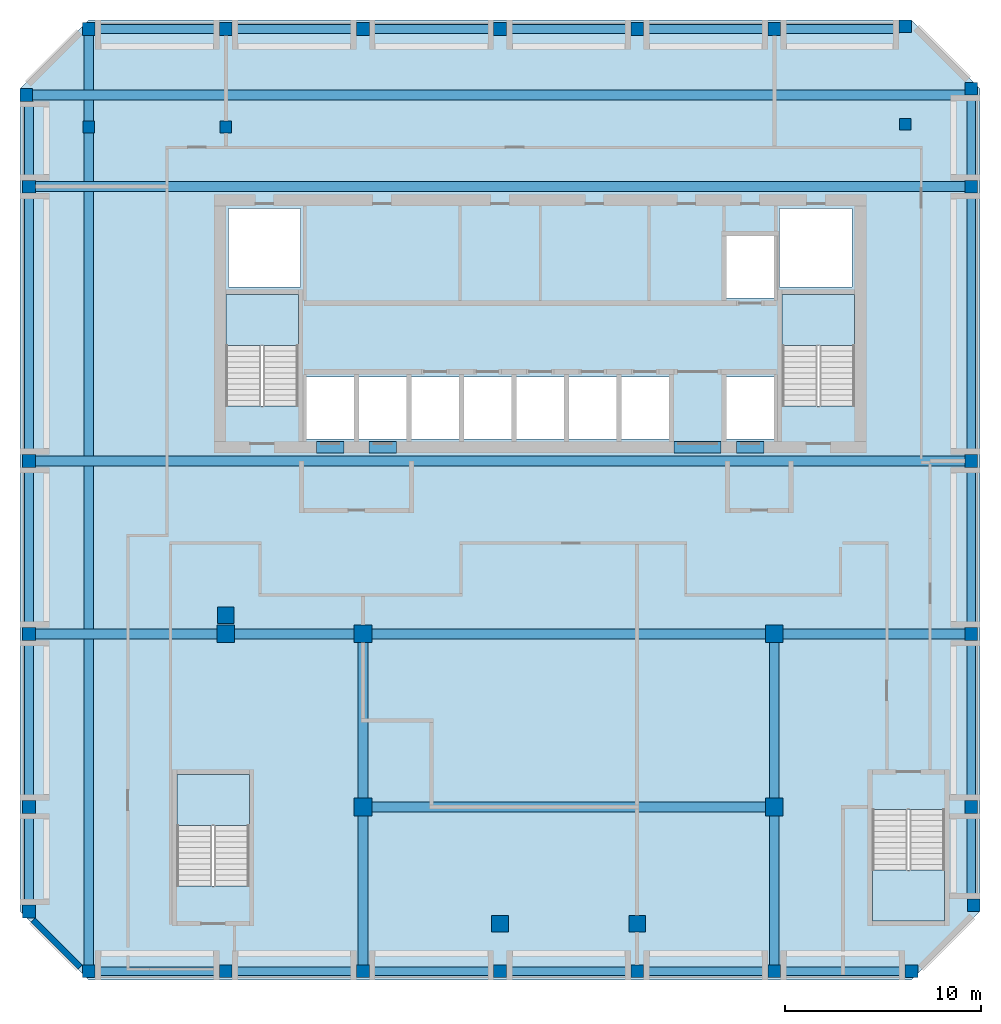
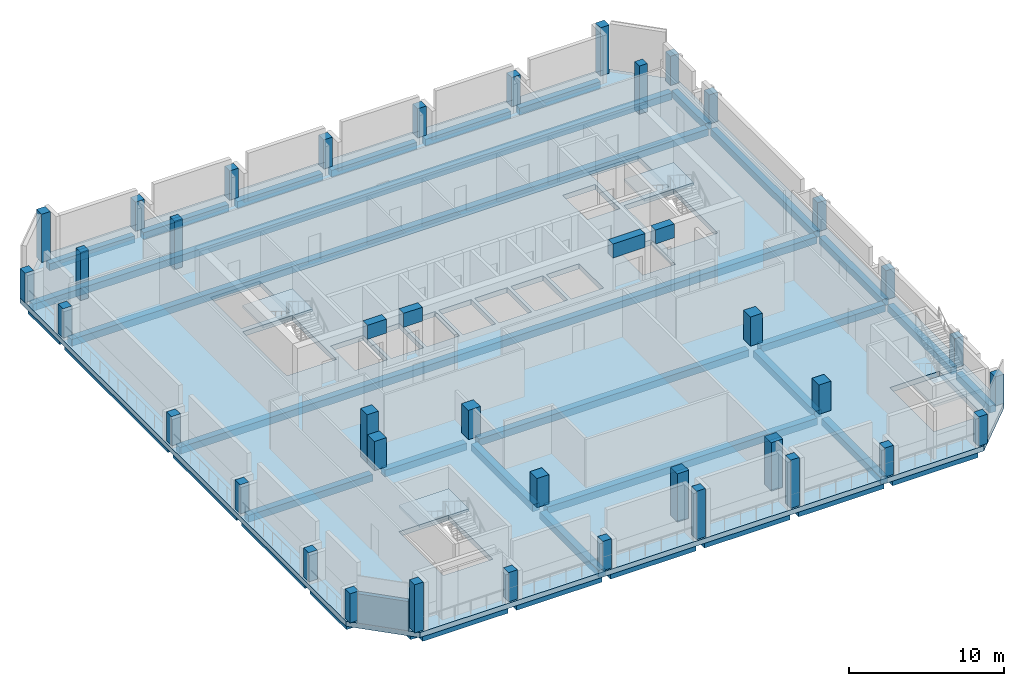
# One storey, part 1 of 7: 39 beams, 37 columns, 5 slabs, 1 wall, 4 elements without a shape of their own.
"""IFC4 building model written with IfcOpenShell, lengths in metres."""

from ifc_helpers import new_model, si_unit, direction, frame, frame_2d, origin, origin_2d, place, context, subcontext, project, spatial, polyline, rectangle, outline, extrude, source, transform, mapped, material, layer, layer_set, material_profile, profile_set, type_object, element, aggregate, save


model = new_model("IFC4")

# Units and contexts
model_context = context("Model", 3, precision=1e-05, world=origin(), true_north=direction((0.0, 1.0)))
body_context = subcontext(model_context, "Body", "Model", "MODEL_VIEW")
ifc_project = project(units=[si_unit("LENGTHUNIT", "METRE"), si_unit("AREAUNIT", "SQUARE_METRE"), si_unit("VOLUMEUNIT", "CUBIC_METRE"), si_unit("PLANEANGLEUNIT", "RADIAN"), si_unit("MASSUNIT", "GRAM", prefix="KILO")], contexts=[model_context])

# Site, building, storey
site_placement = place(None, origin())
site = spatial("IfcSite", under=ifc_project, at=site_placement, CompositionType="ELEMENT")
building_placement = place(site_placement, origin())
building = spatial("IfcBuilding", under=site, at=building_placement, Name="Kilnfold Tower and Market Hall", CompositionType="ELEMENT")
storey_placement = place(building_placement, frame((0.0, 0.0, 290.800048828125)))
storey = spatial("IfcBuildingStorey", under=building, at=storey_placement, Name="L72 Plant Transfer Level", CompositionType="ELEMENT", Elevation=290.800048828125)

# Columns
ifc_material_1 = material(Name="Concrete C60", Category="concrete")
ifc_material_profile_1 = material_profile(ifc_material_1, rectangle(XDim=0.64990234375, YDim=0.64990234375, at=origin_2d()), Name="RC 650x650")
ifc_profile_set_1 = profile_set([ifc_material_profile_1], Name="Concrete C60")
column_type_1 = type_object("IfcColumnType", Name="COLUMN 650X650 C60", PredefinedType="COLUMN", material=ifc_profile_set_1)
shared_shape_1 = source(origin(), body_context, "Body", "SweptSolid", [
    extrude(rectangle(XDim=0.64990234375, YDim=0.64990234375, at=origin_2d()), origin(), (0.0, 0.0, 1.0), 3.800048828125),
])
for number, where, z_axis, x_axis, name in (
    (1, (-22.0, -18.050048828125, 0.0), (0.0, 0.0, 1.0), (1.0, 0.0, 0.0), "Column C-B8-2A"),
    (2, (-22.0, 30.050048828125, 0.0), (0.0, 0.0, 1.0), (1.0, 0.0, 0.0), "Column C-B8-2H"),
    (3, (-1.0, -18.050048828125, 0.0), (0.0, 0.0, 1.0), (1.0, 0.0, 0.0), "Column C-B8-5A"),
    (4, (6.0, -18.050048828125, 0.0), (0.0, 0.0, 1.0), (1.0, 0.0, 0.0), "Column C-B8-6A"),
    (5, (19.681884765625, 30.181884765625, 0.0), (0.0, 0.0, 1.0), (1.0, 0.0, 0.0), "Column C-B8-8H"),
):
    element("IfcColumn", number, at=place(storey_placement, frame(where, z_axis=z_axis, x_axis=x_axis)), inside=storey, type_object=column_type_1, Name=name, PredefinedType="COLUMN", context=body_context, shape_type="MappedRepresentation", body=[
        mapped(shared_shape_1, transform((0.0, 0.0, 0.0))),
    ])
shared_shape_2 = source(origin(), body_context, "Body", "SweptSolid", [
    extrude(rectangle(XDim=0.64990234375, YDim=0.64990234375, at=origin_2d()), origin(), (0.0, 0.0, 1.0), 2.300048828125),
])
for number, where, z_axis, x_axis, name in (
    (6, (-25.181884765625, 26.681884765625, 0.0), (0.0, 0.0, 1.0), (1.0, 0.0, 0.0), "Column C-B8-1G"),
    (7, (-25.050048828125, -15.0, 0.0), (0.0, 0.0, 1.0), (1.0, 0.0, 0.0), "Column C-B8-1B"),
    (8, (-25.050048828125, -9.666748046875, 0.0), (0.0, 0.0, 1.0), (1.0, 0.0, 0.0), "Column C-B8-1C"),
    (9, (-25.050048828125, -0.833251953125, 0.0), (0.0, 0.0, 1.0), (1.0, 0.0, 0.0), "Column C-B8-1D"),
    (10, (-25.050048828125, 8.0, 0.0), (0.0, 0.0, 1.0), (1.0, 0.0, 0.0), "Column C-B8-1E"),
    (11, (-25.050048828125, 22.0, 0.0), (0.0, 0.0, 1.0), (1.0, 0.0, 0.0), "Column C-B8-1F"),
    (12, (-15.0, -18.050048828125, 0.0), (0.0, 0.0, 1.0), (1.0, 0.0, 0.0), "Column C-B8-3A"),
    (13, (-15.0, 30.050048828125, 0.0), (0.0, 0.0, 1.0), (1.0, 0.0, 0.0), "Column C-B8-3H"),
    (14, (-8.0, -18.050048828125, 0.0), (0.0, 0.0, 1.0), (1.0, 0.0, 0.0), "Column C-B8-4A"),
    (15, (-8.0, 30.050048828125, 0.0), (0.0, 0.0, 1.0), (1.0, 0.0, 0.0), "Column C-B8-4H"),
    (16, (-1.0, 30.050048828125, 0.0), (0.0, 0.0, 1.0), (1.0, 0.0, 0.0), "Column C-B8-5H"),
    (17, (6.0, 30.050048828125, 0.0), (0.0, 0.0, 1.0), (1.0, 0.0, 0.0), "Column C-B8-6H"),
    (18, (13.0, -18.050048828125, 0.0), (0.0, 0.0, 1.0), (1.0, 0.0, 0.0), "Column C-B8-7A"),
    (19, (13.0, 30.050048828125, 0.0), (0.0, 0.0, 1.0), (1.0, 0.0, 0.0), "Column C-B8-7H"),
    (20, (20.0, -18.050048828125, 0.0), (0.0, 0.0, 1.0), (1.0, 0.0, 0.0), "Column C-B8-8A"),
    (21, (23.050048828125, -9.666748046875, 0.0), (0.0, 0.0, 1.0), (1.0, 0.0, 0.0), "Column C-B8-9C"),
    (22, (23.050048828125, -0.833251953125, 0.0), (0.0, 0.0, 1.0), (1.0, 0.0, 0.0), "Column C-B8-9D"),
    (23, (23.050048828125, 8.0, 0.0), (0.0, 0.0, 1.0), (1.0, 0.0, 0.0), "Column C-B8-9E"),
    (24, (23.050048828125, 22.0, 0.0), (0.0, 0.0, 1.0), (1.0, 0.0, 0.0), "Column C-B8-9F"),
    (25, (23.050048828125, 27.0, 0.0), (0.0, 0.0, 1.0), (1.0, 0.0, 0.0), "Column C-B8-9G"),
    (26, (23.181884765625, -14.681884765625, 0.0), (0.0, 0.0, 1.0), (1.0, 0.0, 0.0), "Column C-B8-9B"),
):
    element("IfcColumn", number, at=place(storey_placement, frame(where, z_axis=z_axis, x_axis=x_axis)), inside=storey, type_object=column_type_1, Name=name, PredefinedType="COLUMN", context=body_context, shape_type="MappedRepresentation", body=[
        mapped(shared_shape_2, transform((0.0, 0.0, 0.0))),
    ])
ifc_material_2 = material(Name="Concrete C60", Category="concrete")
ifc_material_profile_2 = material_profile(ifc_material_2, rectangle(XDim=0.89990234375, YDim=0.89990234375, at=origin_2d()), Name="RC 900x900")
ifc_profile_set_2 = profile_set([ifc_material_profile_2], Name="Concrete C60")
column_type_2 = type_object("IfcColumnType", Name="COLUMN 900X900 C60", PredefinedType="COLUMN", material=ifc_profile_set_2)
shared_shape_3 = source(origin(), body_context, "Body", "SweptSolid", [
    extrude(rectangle(XDim=0.89990234375, YDim=0.89990234375, at=origin_2d()), origin(), (0.0, 0.0, 1.0), 2.300048828125),
])
for number, where, z_axis, x_axis, name in (
    (27, (-15.0, -0.833251953125, 0.0), (0.0, 0.0, 1.0), (1.0, 0.0, 0.0), "Column C-B8-3D"),
    (28, (-8.0, -9.666748046875, 0.0), (0.0, 0.0, 1.0), (1.0, 0.0, 0.0), "Column C-B8-4C"),
    (29, (-8.0, -0.833251953125, 0.0), (0.0, 0.0, 1.0), (1.0, 0.0, 0.0), "Column C-B8-4D"),
    (30, (13.0, -9.666748046875, 0.0), (0.0, 0.0, 1.0), (1.0, 0.0, 0.0), "Column C-B8-7C"),
    (31, (13.0, -0.833251953125, 0.0), (0.0, 0.0, 1.0), (1.0, 0.0, 0.0), "Column C-B8-7D"),
):
    element("IfcColumn", number, at=place(storey_placement, frame(where, z_axis=z_axis, x_axis=x_axis)), inside=storey, type_object=column_type_2, Name=name, PredefinedType="COLUMN", context=body_context, shape_type="MappedRepresentation", body=[
        mapped(shared_shape_3, transform((0.0, 0.0, 0.0))),
    ])
ifc_material_3 = material(Name="Concrete C60", Category="concrete")
ifc_material_profile_3 = material_profile(ifc_material_3, rectangle(XDim=0.60009765625, YDim=0.60009765625, at=origin_2d()), Name="RC 600x600")
ifc_profile_set_3 = profile_set([ifc_material_profile_3], Name="Concrete C60")
column_type_3 = type_object("IfcColumnType", Name="COLUMN 600X600 C60", PredefinedType="COLUMN", material=ifc_profile_set_3)
shared_shape_4 = source(origin(), body_context, "Body", "SweptSolid", [
    extrude(rectangle(XDim=0.60009765625, YDim=0.60009765625, at=origin_2d()), origin(), (0.0, 0.0, 1.0), 3.800048828125),
])
for number, where, z_axis, x_axis, name in (
    (32, (-22.0, 25.050048828125, 0.0), (0.0, 0.0, 1.0), (1.0, 0.0, 0.0), "Column C-B9-2H"),
    (33, (-15.0, 25.050048828125, 0.0), (0.0, 0.0, 1.0), (1.0, 0.0, 0.0), "Column C-B9-3H"),
    (34, (19.681884765625, 25.181884765625, 0.0), (0.0, 0.0, 1.0), (1.0, 0.0, 0.0), "Column C-B9-8H"),
):
    element("IfcColumn", number, at=place(storey_placement, frame(where, z_axis=z_axis, x_axis=x_axis)), inside=storey, type_object=column_type_3, Name=name, PredefinedType="COLUMN", context=body_context, shape_type="MappedRepresentation", body=[
        mapped(shared_shape_4, transform((0.0, 0.0, 0.0))),
    ])
ifc_material_4 = material(Name="Concrete C60", Category="concrete")
ifc_material_profile_4 = material_profile(ifc_material_4, rectangle(XDim=0.85009765625, YDim=0.85009765625, at=origin_2d()), Name="RC 850x850")
ifc_profile_set_4 = profile_set([ifc_material_profile_4], Name="Concrete C60")
column_type_4 = type_object("IfcColumnType", Name="COLUMN 850X850 C60", PredefinedType="COLUMN", material=ifc_profile_set_4)
shared_shape_5 = source(origin(), body_context, "Body", "SweptSolid", [
    extrude(rectangle(XDim=0.85009765625, YDim=0.85009765625, at=origin_2d()), origin(), (0.0, 0.0, 1.0), 3.800048828125),
])
for number, where, z_axis, x_axis, name in (
    (35, (-15.0, 0.125, 0.0), (0.0, 0.0, 1.0), (1.0, 0.0, 0.0), "Column C-B9-3E"),
    (36, (-1.0, -15.625, 0.0), (0.0, 0.0, 1.0), (1.0, 0.0, 0.0), "Column C-B9-5C"),
    (37, (6.0, -15.625, 0.0), (0.0, 0.0, 1.0), (1.0, 0.0, 0.0), "Column C-B9-6C"),
):
    element("IfcColumn", number, at=place(storey_placement, frame(where, z_axis=z_axis, x_axis=x_axis)), inside=storey, type_object=column_type_4, Name=name, PredefinedType="COLUMN", context=body_context, shape_type="MappedRepresentation", body=[
        mapped(shared_shape_5, transform((0.0, 0.0, 0.0))),
    ])

# Beams
ifc_material_5 = material(Name="Concrete C50", Category="concrete")
ifc_material_profile_5 = material_profile(ifc_material_5, rectangle(XDim=0.60009765625, YDim=1.10009765625, at=origin_2d()), Name="RC 600x1100")
ifc_profile_set_5 = profile_set([ifc_material_profile_5], Name="Concrete C50")
beam_type_1 = type_object("IfcBeamType", Name="COUPLING BEAM 600X1100 C50", PredefinedType="BEAM", material=ifc_profile_set_5)
shared_shape_6 = source(origin(), body_context, "Body", "SweptSolid", [
    extrude(rectangle(XDim=0.60009765625, YDim=1.10009765625, at=origin_2d()), origin(), (0.0, 0.0, 1.0), 1.400146484375),
])
beam_1_placement = place(storey_placement, frame((-10.3701171875, 8.699951171875, 3.25), z_axis=(1.0, 0.0, 0.0), x_axis=(0.0, 1.0, 0.0)))
element("IfcBeam", 38, at=beam_1_placement, inside=storey, type_object=beam_type_1, Name="Coupling beam CB1100-50-CORE.30", PredefinedType="BEAM", context=body_context, shape_type="MappedRepresentation", body=[
    mapped(shared_shape_6, transform((0.0, 0.0, 0.0))),
])
shared_shape_7 = source(origin(), body_context, "Body", "SweptSolid", [
    extrude(rectangle(XDim=0.60009765625, YDim=1.10009765625, at=origin_2d()), origin(), (0.0, 0.0, 1.0), 1.39990234375),
])
for number, where, z_axis, x_axis, name in (
    (39, (-7.68994140625, 8.699951171875, 3.25), (1.0, 0.0, 0.0), (0.0, 1.0, 0.0), "Coupling beam CB1100-50-CORE.31"),
    (40, (11.070068359375, 8.699951171875, 3.25), (1.0, 0.0, 0.0), (0.0, 1.0, 0.0), "Coupling beam CB1100-50-CORE.33"),
):
    element("IfcBeam", number, at=place(storey_placement, frame(where, z_axis=z_axis, x_axis=x_axis)), inside=storey, type_object=beam_type_1, Name=name, PredefinedType="BEAM", context=body_context, shape_type="MappedRepresentation", body=[
        mapped(shared_shape_7, transform((0.0, 0.0, 0.0))),
    ])
shared_shape_8 = source(origin(), body_context, "Body", "SweptSolid", [
    extrude(rectangle(XDim=0.60009765625, YDim=1.10009765625, at=origin_2d()), origin(), (0.0, 0.0, 1.0), 2.400146484375),
])
beam_2_placement = place(storey_placement, frame((7.889892578125, 8.699951171875, 3.25), z_axis=(1.0, 0.0, 0.0), x_axis=(0.0, 1.0, 0.0)))
element("IfcBeam", 41, at=beam_2_placement, inside=storey, type_object=beam_type_1, Name="Coupling beam CB1100-50-CORE.32", PredefinedType="BEAM", context=body_context, shape_type="MappedRepresentation", body=[
    mapped(shared_shape_8, transform((0.0, 0.0, 0.0))),
])
ifc_material_6 = material(Name="Concrete C45", Category="concrete")
ifc_material_profile_6 = material_profile(ifc_material_6, rectangle(XDim=0.449951171875, YDim=0.550048828125, at=origin_2d()), Name="RC 450x550")
ifc_profile_set_6 = profile_set([ifc_material_profile_6], Name="Concrete C45")
beam_type_2 = type_object("IfcBeamType", Name="EDGE BEAM 450X550 C45", PredefinedType="BEAM", material=ifc_profile_set_6)
shared_shape_9 = source(origin(), body_context, "Body", "SweptSolid", [
    extrude(rectangle(XDim=0.449951171875, YDim=0.550048828125, at=origin_2d()), origin(), (0.0, 0.0, 1.0), 6.35009765625),
])
for number, where, z_axis, x_axis, name in (
    (42, (-21.675048828125, -18.050048828125, -0.675048828125), (1.0, 0.0, 0.0), (0.0, 1.0, 0.0), "Beam EB550-B8.31"),
    (43, (-14.675048828125, -18.050048828125, -0.675048828125), (1.0, 0.0, 0.0), (0.0, 1.0, 0.0), "Beam EB550-B8.32"),
    (44, (-7.675048828125, -18.050048828125, -0.675048828125), (1.0, 0.0, 0.0), (0.0, 1.0, 0.0), "Beam EB550-B8.33"),
    (45, (-0.675048828125, -18.050048828125, -0.675048828125), (1.0, 0.0, 0.0), (0.0, 1.0, 0.0), "Beam EB550-B8.34"),
    (46, (6.324951171875, -18.050048828125, -0.675048828125), (1.0, 0.0, 0.0), (0.0, 1.0, 0.0), "Beam EB550-B8.35"),
    (47, (13.324951171875, -18.050048828125, -0.675048828125), (1.0, 0.0, 0.0), (0.0, 1.0, 0.0), "Beam EB550-B8.36"),
    (48, (-21.675048828125, 30.050048828125, -0.675048828125), (1.0, 0.0, 0.0), (0.0, 1.0, 0.0), "Beam EB550-B8.44"),
    (49, (-14.675048828125, 30.050048828125, -0.675048828125), (1.0, 0.0, 0.0), (0.0, 1.0, 0.0), "Beam EB550-B8.45"),
    (50, (-7.675048828125, 30.050048828125, -0.675048828125), (1.0, 0.0, 0.0), (0.0, 1.0, 0.0), "Beam EB550-B8.46"),
    (51, (-0.675048828125, 30.050048828125, -0.675048828125), (1.0, 0.0, 0.0), (0.0, 1.0, 0.0), "Beam EB550-B8.47"),
    (52, (6.324951171875, 30.050048828125, -0.675048828125), (1.0, 0.0, 0.0), (0.0, 1.0, 0.0), "Beam EB550-B8.48"),
):
    element("IfcBeam", number, at=place(storey_placement, frame(where, z_axis=z_axis, x_axis=x_axis)), inside=storey, type_object=beam_type_2, Name=name, PredefinedType="BEAM", context=body_context, shape_type="MappedRepresentation", body=[
        mapped(shared_shape_9, transform((0.0, 0.0, 0.0))),
    ])
ifc_material_7 = material(Name="Concrete C45", Category="concrete")
ifc_material_profile_7 = material_profile(ifc_material_7, rectangle(XDim=0.5, YDim=0.550048828125, at=origin_2d()), Name="RC 500x550")
ifc_profile_set_7 = profile_set([ifc_material_profile_7], Name="Concrete C45")
beam_type_3 = type_object("IfcBeamType", Name="BEAM 500X550 C45", PredefinedType="BEAM", material=ifc_profile_set_7)
shared_shape_10 = source(origin(), body_context, "Body", "SweptSolid", [
    extrude(rectangle(XDim=0.5, YDim=0.550048828125, at=origin_2d()), origin(), (0.0, 0.0, 1.0), 20.10009765625),
])
for number, where, z_axis, x_axis, name in (
    (53, (-7.550048828125, -9.669921875, -0.675048828125), (1.0, 0.0, 0.0), (0.0, 1.0, 0.0), "Beam BB550-B8.37"),
    (54, (-7.550048828125, -0.830078125, -0.675048828125), (1.0, 0.0, 0.0), (0.0, 1.0, 0.0), "Beam BB550-B8.39"),
):
    element("IfcBeam", number, at=place(storey_placement, frame(where, z_axis=z_axis, x_axis=x_axis)), inside=storey, type_object=beam_type_3, Name=name, PredefinedType="BEAM", context=body_context, shape_type="MappedRepresentation", body=[
        mapped(shared_shape_10, transform((0.0, 0.0, 0.0))),
    ])
shared_shape_11 = source(origin(), body_context, "Body", "SweptSolid", [
    extrude(rectangle(XDim=0.5, YDim=0.550048828125, at=origin_2d()), origin(), (0.0, 0.0, 1.0), 9.275146484375),
])
for number, where, z_axis, x_axis, name in (
    (55, (-24.72509765625, -0.830078125, -0.675048828125), (1.0, 0.0, 0.0), (0.0, 1.0, 0.0), "Beam BB550-B8.38"),
    (56, (13.449951171875, -0.830078125, -0.675048828125), (1.0, 0.0, 0.0), (0.0, 1.0, 0.0), "Beam BB550-B8.40"),
):
    element("IfcBeam", number, at=place(storey_placement, frame(where, z_axis=z_axis, x_axis=x_axis)), inside=storey, type_object=beam_type_3, Name=name, PredefinedType="BEAM", context=body_context, shape_type="MappedRepresentation", body=[
        mapped(shared_shape_11, transform((0.0, 0.0, 0.0))),
    ])
shared_shape_12 = source(origin(), body_context, "Body", "SweptSolid", [
    extrude(rectangle(XDim=0.5, YDim=0.550048828125, at=origin_2d()), origin(), (0.0, 0.0, 1.0), 47.4501953125),
])
for number, where, z_axis, x_axis, name in (
    (57, (-24.72509765625, 8.0, -0.675048828125), (1.0, 0.0, 0.0), (0.0, 1.0, 0.0), "Beam BB550-B8.41"),
    (58, (-24.72509765625, 22.0, -0.675048828125), (1.0, 0.0, 0.0), (0.0, 1.0, 0.0), "Beam BB550-B8.42"),
    (59, (-22.0, -17.72509765625, -0.675048828125), (0.0, 1.0, 0.0), (-1.0, 0.0, 0.0), "Beam BB550-B8.55"),
):
    element("IfcBeam", number, at=place(storey_placement, frame(where, z_axis=z_axis, x_axis=x_axis)), inside=storey, type_object=beam_type_3, Name=name, PredefinedType="BEAM", context=body_context, shape_type="MappedRepresentation", body=[
        mapped(shared_shape_12, transform((0.0, 0.0, 0.0))),
    ])
shared_shape_13 = source(origin(), body_context, "Body", "SweptSolid", [
    extrude(rectangle(XDim=0.5, YDim=0.550048828125, at=origin_2d()), origin(), (0.0, 0.0, 1.0), 47.581787109375),
])
beam_3_placement = place(storey_placement, frame((-24.856689453125, 26.679931640625, -0.675048828125), z_axis=(1.0, 0.0, 0.0), x_axis=(0.0, 1.0, 0.0)))
element("IfcBeam", 60, at=beam_3_placement, inside=storey, type_object=beam_type_3, Name="Beam BB550-B8.43", PredefinedType="BEAM", context=body_context, shape_type="MappedRepresentation", body=[
    mapped(shared_shape_13, transform((0.0, 0.0, 0.0))),
])
shared_shape_14 = source(origin(), body_context, "Body", "SweptSolid", [
    extrude(rectangle(XDim=0.449951171875, YDim=0.550048828125, at=origin_2d()), origin(), (0.0, 0.0, 1.0), 6.03173828125),
])
beam_4_placement = place(storey_placement, frame((13.324951171875, 30.050048828125, -0.675048828125), z_axis=(1.0, 0.0, 0.0), x_axis=(0.0, 1.0, 0.0)))
element("IfcBeam", 61, at=beam_4_placement, inside=storey, type_object=beam_type_2, Name="Beam EB550-B8.49", PredefinedType="BEAM", context=body_context, shape_type="MappedRepresentation", body=[
    mapped(shared_shape_14, transform((0.0, 0.0, 0.0))),
])
shared_shape_15 = source(origin(), body_context, "Body", "SweptSolid", [
    extrude(rectangle(XDim=0.449951171875, YDim=0.550048828125, at=origin_2d()), origin(), (0.0, 0.0, 1.0), 4.683349609375),
])
beam_5_placement = place(storey_placement, frame((-25.050048828125, -14.675048828125, -0.675048828125), z_axis=(0.0, 1.0, 0.0), x_axis=(-1.0, 0.0, 0.0)))
element("IfcBeam", 62, at=beam_5_placement, inside=storey, type_object=beam_type_2, Name="Beam EB550-B8.50", PredefinedType="BEAM", context=body_context, shape_type="MappedRepresentation", body=[
    mapped(shared_shape_15, transform((0.0, 0.0, 0.0))),
])
shared_shape_16 = source(origin(), body_context, "Body", "SweptSolid", [
    extrude(rectangle(XDim=0.449951171875, YDim=0.550048828125, at=origin_2d()), origin(), (0.0, 0.0, 1.0), 8.18359375),
])
for number, where, z_axis, x_axis, name in (
    (63, (-25.050048828125, -9.341796875, -0.675048828125), (0.0, 1.0, 0.0), (-1.0, 0.0, 0.0), "Beam EB550-B8.51"),
    (64, (23.050048828125, -9.341796875, -0.675048828125), (0.0, 1.0, 0.0), (-1.0, 0.0, 0.0), "Beam EB550-B8.57"),
):
    element("IfcBeam", number, at=place(storey_placement, frame(where, z_axis=z_axis, x_axis=x_axis)), inside=storey, type_object=beam_type_2, Name=name, PredefinedType="BEAM", context=body_context, shape_type="MappedRepresentation", body=[
        mapped(shared_shape_16, transform((0.0, 0.0, 0.0))),
    ])
shared_shape_17 = source(origin(), body_context, "Body", "SweptSolid", [
    extrude(rectangle(XDim=0.449951171875, YDim=0.550048828125, at=origin_2d()), origin(), (0.0, 0.0, 1.0), 8.183349609375),
])
for number, where, z_axis, x_axis, name in (
    (65, (-25.050048828125, -0.50830078125, -0.675048828125), (0.0, 1.0, 0.0), (-1.0, 0.0, 0.0), "Beam EB550-B8.52"),
    (66, (23.050048828125, -0.50830078125, -0.675048828125), (0.0, 1.0, 0.0), (-1.0, 0.0, 0.0), "Beam EB550-B8.58"),
):
    element("IfcBeam", number, at=place(storey_placement, frame(where, z_axis=z_axis, x_axis=x_axis)), inside=storey, type_object=beam_type_2, Name=name, PredefinedType="BEAM", context=body_context, shape_type="MappedRepresentation", body=[
        mapped(shared_shape_17, transform((0.0, 0.0, 0.0))),
    ])
shared_shape_18 = source(origin(), body_context, "Body", "SweptSolid", [
    extrude(rectangle(XDim=0.449951171875, YDim=0.550048828125, at=origin_2d()), origin(), (0.0, 0.0, 1.0), 13.35009765625),
])
for number, where, z_axis, x_axis, name in (
    (67, (-25.050048828125, 8.324951171875, -0.675048828125), (0.0, 1.0, 0.0), (-1.0, 0.0, 0.0), "Beam EB550-B8.53"),
    (68, (23.050048828125, 8.324951171875, -0.675048828125), (0.0, 1.0, 0.0), (-1.0, 0.0, 0.0), "Beam EB550-B8.59"),
):
    element("IfcBeam", number, at=place(storey_placement, frame(where, z_axis=z_axis, x_axis=x_axis)), inside=storey, type_object=beam_type_2, Name=name, PredefinedType="BEAM", context=body_context, shape_type="MappedRepresentation", body=[
        mapped(shared_shape_18, transform((0.0, 0.0, 0.0))),
    ])
shared_shape_19 = source(origin(), body_context, "Body", "SweptSolid", [
    extrude(rectangle(XDim=0.449951171875, YDim=0.550048828125, at=origin_2d()), origin(), (0.0, 0.0, 1.0), 4.03173828125),
])
beam_6_placement = place(storey_placement, frame((-25.050048828125, 22.324951171875, -0.675048828125), z_axis=(0.0, 1.0, 0.0), x_axis=(-1.0, 0.0, 0.0)))
element("IfcBeam", 69, at=beam_6_placement, inside=storey, type_object=beam_type_2, Name="Beam EB550-B8.54", PredefinedType="BEAM", context=body_context, shape_type="MappedRepresentation", body=[
    mapped(shared_shape_19, transform((0.0, 0.0, 0.0))),
])
shared_shape_20 = source(origin(), body_context, "Body", "SweptSolid", [
    extrude(rectangle(XDim=0.5, YDim=0.550048828125, at=origin_2d()), origin(), (0.0, 0.0, 1.0), 7.93359375),
])
for number, where, z_axis, x_axis, name in (
    (70, (-8.0, -9.216796875, -0.675048828125), (0.0, 1.0, 0.0), (-1.0, 0.0, 0.0), "Beam BB550-B8.24"),
    (71, (13.0, -9.216796875, -0.675048828125), (0.0, 1.0, 0.0), (-1.0, 0.0, 0.0), "Beam BB550-B8.25"),
):
    element("IfcBeam", number, at=place(storey_placement, frame(where, z_axis=z_axis, x_axis=x_axis)), inside=storey, type_object=beam_type_3, Name=name, PredefinedType="BEAM", context=body_context, shape_type="MappedRepresentation", body=[
        mapped(shared_shape_20, transform((0.0, 0.0, 0.0))),
    ])
shared_shape_21 = source(origin(), body_context, "Body", "SweptSolid", [
    extrude(rectangle(XDim=0.449951171875, YDim=0.550048828125, at=origin_2d()), origin(), (0.0, 0.0, 1.0), 4.364990234375),
])
beam_7_placement = place(storey_placement, frame((23.050048828125, -14.356689453125, -0.675048828125), z_axis=(0.0, 1.0, 0.0), x_axis=(-1.0, 0.0, 0.0)))
element("IfcBeam", 72, at=beam_7_placement, inside=storey, type_object=beam_type_2, Name="Beam EB550-B8.56", PredefinedType="BEAM", context=body_context, shape_type="MappedRepresentation", body=[
    mapped(shared_shape_21, transform((0.0, 0.0, 0.0))),
])
shared_shape_22 = source(origin(), body_context, "Body", "SweptSolid", [
    extrude(rectangle(XDim=0.449951171875, YDim=0.550048828125, at=origin_2d()), origin(), (0.0, 0.0, 1.0), 4.35009765625),
])
beam_8_placement = place(storey_placement, frame((23.050048828125, 22.324951171875, -0.675048828125), z_axis=(0.0, 1.0, 0.0), x_axis=(-1.0, 0.0, 0.0)))
element("IfcBeam", 73, at=beam_8_placement, inside=storey, type_object=beam_type_2, Name="Beam EB550-B8.60", PredefinedType="BEAM", context=body_context, shape_type="MappedRepresentation", body=[
    mapped(shared_shape_22, transform((0.0, 0.0, 0.0))),
])
shared_shape_23 = source(origin(), body_context, "Body", "SweptSolid", [
    extrude(rectangle(XDim=0.5, YDim=0.550048828125, at=origin_2d()), origin(), (0.0, 0.0, 1.0), 6.10009765625),
])
beam_9_placement = place(storey_placement, frame((-14.550048828125, -0.830078125, -0.675048828125), z_axis=(1.0, 0.0, 0.0), x_axis=(0.0, 1.0, 0.0)))
element("IfcBeam", 74, at=beam_9_placement, inside=storey, type_object=beam_type_3, Name="Beam BB550-B8.61", PredefinedType="BEAM", context=body_context, shape_type="MappedRepresentation", body=[
    mapped(shared_shape_23, transform((0.0, 0.0, 0.0))),
])
shared_shape_24 = source(origin(), body_context, "Body", "SweptSolid", [
    extrude(rectangle(XDim=0.5, YDim=0.550048828125, at=origin_2d()), origin(), (0.0, 0.0, 1.0), 7.6083984375),
])
for number, where, z_axis, x_axis, name in (
    (75, (-8.0, -17.72509765625, -0.675048828125), (0.0, 1.0, 0.0), (-1.0, 0.0, 0.0), "Beam BB550-B8.62"),
    (76, (13.0, -17.72509765625, -0.675048828125), (0.0, 1.0, 0.0), (-1.0, 0.0, 0.0), "Beam BB550-B8.63"),
):
    element("IfcBeam", number, at=place(storey_placement, frame(where, z_axis=z_axis, x_axis=x_axis)), inside=storey, type_object=beam_type_3, Name=name, PredefinedType="BEAM", context=body_context, shape_type="MappedRepresentation", body=[
        mapped(shared_shape_24, transform((0.0, 0.0, 0.0))),
    ])

# Slab
ifc_material_8 = material(Name="Concrete C45", Category="concrete")
ifc_layer_1 = layer(ifc_material_8, 0.39990234375)
ifc_layer_set_1 = layer_set([ifc_layer_1], Name="Concrete C45")
slab_type_1 = type_object("IfcSlabType", Name="FLOOR SLAB 400", PredefinedType="FLOOR", material=ifc_layer_set_1)
shared_shape_25 = source(origin(), body_context, "Body", "SweptSolid", [
    extrude(outline(polyline([(-22.0, -18.5), (20.0, -18.5), (23.5, -15.0), (23.5, 27.0), (20.0, 30.5), (-22.0, 30.5), (-25.5, 27.0), (-25.5, -15.0), (-22.0, -18.5)]), holes=[polyline([(-13.800537109375, -8.00048828125), (-13.800537109375, -13.699462890625), (-17.49951171875, -13.699462890625), (-17.49951171875, -8.00048828125), (-13.800537109375, -8.00048828125)]), polyline([(-11.300537109375, 10.800537109375), (-14.99951171875, 10.800537109375), (-14.99951171875, 16.49951171875), (-11.300537109375, 16.49951171875), (-11.300537109375, 10.800537109375)]), polyline([(-11.175048828125, 16.875), (-14.875, 16.875), (-14.875, 20.875), (-11.175048828125, 20.875), (-11.175048828125, 16.875)]), polyline([(-8.455078125, 9.125), (-10.885009765625, 9.125), (-10.885009765625, 12.27490234375), (-8.455078125, 12.27490234375), (-8.455078125, 9.125)]), polyline([(-5.77490234375, 9.125), (-8.205078125, 9.125), (-8.205078125, 12.27490234375), (-5.77490234375, 12.27490234375), (-5.77490234375, 9.125)]), polyline([(-3.094970703125, 9.125), (-5.52490234375, 9.125), (-5.52490234375, 12.27490234375), (-3.094970703125, 12.27490234375), (-3.094970703125, 9.125)]), polyline([(-0.4150390625, 9.125), (-2.844970703125, 9.125), (-2.844970703125, 12.27490234375), (-0.4150390625, 12.27490234375), (-0.4150390625, 9.125)]), polyline([(2.264892578125, 9.125), (-0.1650390625, 9.125), (-0.1650390625, 12.27490234375), (2.264892578125, 12.27490234375), (2.264892578125, 9.125)]), polyline([(4.945068359375, 9.125), (2.514892578125, 9.125), (2.514892578125, 12.27490234375), (4.945068359375, 12.27490234375), (4.945068359375, 9.125)]), polyline([(7.625, 9.125), (5.195068359375, 9.125), (5.195068359375, 12.27490234375), (7.625, 12.27490234375), (7.625, 9.125)]), polyline([(12.985107421875, 9.125), (10.554931640625, 9.125), (10.554931640625, 12.27490234375), (12.985107421875, 12.27490234375), (12.985107421875, 9.125)]), polyline([(12.985107421875, 16.324951171875), (10.554931640625, 16.324951171875), (10.554931640625, 19.47509765625), (12.985107421875, 19.47509765625), (12.985107421875, 16.324951171875)]), polyline([(16.97509765625, 16.875), (13.27490234375, 16.875), (13.27490234375, 20.875), (16.97509765625, 20.875), (16.97509765625, 16.875)]), polyline([(17.099609375, 10.800537109375), (13.400390625, 10.800537109375), (13.400390625, 16.49951171875), (17.099609375, 16.49951171875), (17.099609375, 10.800537109375)]), polyline([(18.00048828125, -9.800537109375), (21.699462890625, -9.800537109375), (21.699462890625, -15.49951171875), (18.00048828125, -15.49951171875), (18.00048828125, -9.800537109375)])]), origin(), (0.0, 0.0, 1.0), 0.400146484375),
])
slab_1_placement = place(storey_placement, frame((0.0, 0.0, -0.400146484375)))
element("IfcSlab", 77, at=slab_1_placement, inside=storey, type_object=slab_type_1, Name="Floor slab L72", PredefinedType="FLOOR", context=body_context, shape_type="MappedRepresentation", body=[
    mapped(shared_shape_25, transform((0.0, 0.0, 0.0))),
])

# Stair, slab
ifc_material_9 = material(Name="Concrete C40/50", Category="concrete")
stair_type = type_object("IfcStairType", Name="CORE STAIR 1800", PredefinedType="HALF_TURN_STAIR", material=ifc_material_9)
stair_1_placement = place(storey_placement, origin())
stair_1 = element("IfcStair", 78, at=stair_1_placement, inside=storey, type_object=stair_type, Name="L72 Plant Transfer Level ST1", PredefinedType="HALF_TURN_STAIR")
ifc_material_10 = material(Name="Concrete C40/50", Category="concrete")
ifc_layer_2 = layer(ifc_material_10, 0.199951171875)
ifc_layer_set_2 = layer_set([ifc_layer_2], Name="Concrete C40/50")
slab_type_2 = type_object("IfcSlabType", Name="CORE STAIR LANDING 200", PredefinedType="LANDING", material=ifc_layer_set_2)
shared_shape_26 = source(origin(), body_context, "Body", "SweptSolid", [
    extrude(outline(polyline([(-11.300048828125, 13.8798828125), (-11.300048828125, 16.5), (-15.0, 16.5), (-15.0, 13.8798828125), (-11.300048828125, 13.8798828125)])), origin(), (0.0, 0.0, 1.0), 0.199951171875),
])
slab_2_placement = place(storey_placement, frame((0.0, 0.0, 1.89990234375)))
slab_2 = element("IfcSlab", 79, at=slab_2_placement, type_object=slab_type_2, Name="ST1 landing 1", PredefinedType="LANDING", context=body_context, shape_type="MappedRepresentation", body=[
    mapped(shared_shape_26, transform((0.0, 0.0, 0.0))),
])
aggregate(stair_1, [slab_2])

stair_2_placement = place(storey_placement, origin())
stair_2 = element("IfcStair", 80, at=stair_2_placement, inside=storey, type_object=stair_type, Name="L72 Plant Transfer Level ST2", PredefinedType="HALF_TURN_STAIR")
shared_shape_27 = source(origin(), body_context, "Body", "SweptSolid", [
    extrude(outline(polyline([(17.10009765625, 13.8798828125), (17.10009765625, 16.5), (13.39990234375, 16.5), (13.39990234375, 13.8798828125), (17.10009765625, 13.8798828125)])), origin(), (0.0, 0.0, 1.0), 0.199951171875),
])
slab_3_placement = place(storey_placement, frame((0.0, 0.0, 1.89990234375)))
slab_3 = element("IfcSlab", 81, at=slab_3_placement, type_object=slab_type_2, Name="ST2 landing 1", PredefinedType="LANDING", context=body_context, shape_type="MappedRepresentation", body=[
    mapped(shared_shape_27, transform((0.0, 0.0, 0.0))),
])
aggregate(stair_2, [slab_3])

stair_3_placement = place(storey_placement, origin())
stair_3 = element("IfcStair", 82, at=stair_3_placement, inside=storey, type_object=stair_type, Name="L72 Plant Transfer Level ST3", PredefinedType="HALF_TURN_STAIR")
shared_shape_28 = source(origin(), body_context, "Body", "SweptSolid", [
    extrude(outline(polyline([(-13.800048828125, -10.6201171875), (-13.800048828125, -8.0), (-17.5, -8.0), (-17.5, -10.6201171875), (-13.800048828125, -10.6201171875)])), origin(), (0.0, 0.0, 1.0), 0.199951171875),
])
slab_4_placement = place(storey_placement, frame((0.0, 0.0, 1.89990234375)))
slab_4 = element("IfcSlab", 83, at=slab_4_placement, type_object=slab_type_2, Name="ST3 landing 1", PredefinedType="LANDING", context=body_context, shape_type="MappedRepresentation", body=[
    mapped(shared_shape_28, transform((0.0, 0.0, 0.0))),
])
aggregate(stair_3, [slab_4])

stair_4_placement = place(storey_placement, origin())
stair_4 = element("IfcStair", 84, at=stair_4_placement, inside=storey, type_object=stair_type, Name="L72 Plant Transfer Level ST4", PredefinedType="HALF_TURN_STAIR")
shared_shape_29 = source(origin(), body_context, "Body", "SweptSolid", [
    extrude(outline(polyline([(18.0, -12.8798828125), (18.0, -15.5), (21.699951171875, -15.5), (21.699951171875, -12.8798828125), (18.0, -12.8798828125)])), origin(), (0.0, 0.0, 1.0), 0.199951171875),
])
slab_5_placement = place(storey_placement, frame((0.0, 0.0, 1.89990234375)))
slab_5 = element("IfcSlab", 85, at=slab_5_placement, type_object=slab_type_2, Name="ST4 landing 1", PredefinedType="LANDING", context=body_context, shape_type="MappedRepresentation", body=[
    mapped(shared_shape_29, transform((0.0, 0.0, 0.0))),
])
aggregate(stair_4, [slab_5])

# Wall
ifc_material_11 = material(Name="Precast concrete C50/60", Category="concrete")
ifc_layer_3 = layer(ifc_material_11, 0.300048828125)
ifc_layer_set_3 = layer_set([ifc_layer_3], Name="Precast concrete C50/60")
wall_type = type_object("IfcWallType", Name="PRECAST WALL 300", PredefinedType="SOLIDWALL", material=ifc_layer_set_3)
shared_shape_30 = source(origin(), body_context, "Body", "SweptSolid", [
    extrude(rectangle(XDim=3.39404296875, YDim=0.300048828125, at=frame_2d((1.697021484375, 0.0))), origin(), (0.0, 0.0, 1.0), 2.300048828125),
])
wall_placement = place(storey_placement, frame((-24.843994140625, -15.44384765625, 0.0), z_axis=(0.0, 0.0, 1.0), x_axis=(0.707070815327, -0.707142745217, 0.0)))
element("IfcWall", 86, at=wall_placement, inside=storey, type_object=wall_type, Name="Plant wall L72 SW", PredefinedType="SOLIDWALL", context=body_context, shape_type="MappedRepresentation", body=[
    mapped(shared_shape_30, transform((0.0, 0.0, 0.0))),
])

save(model, "model.ifc")
